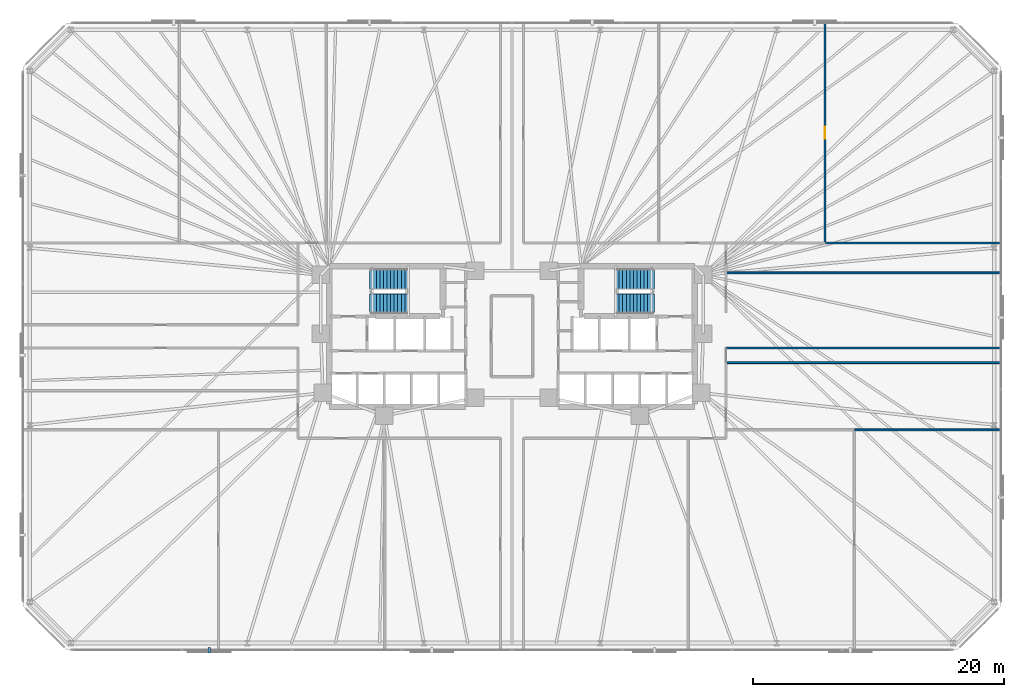
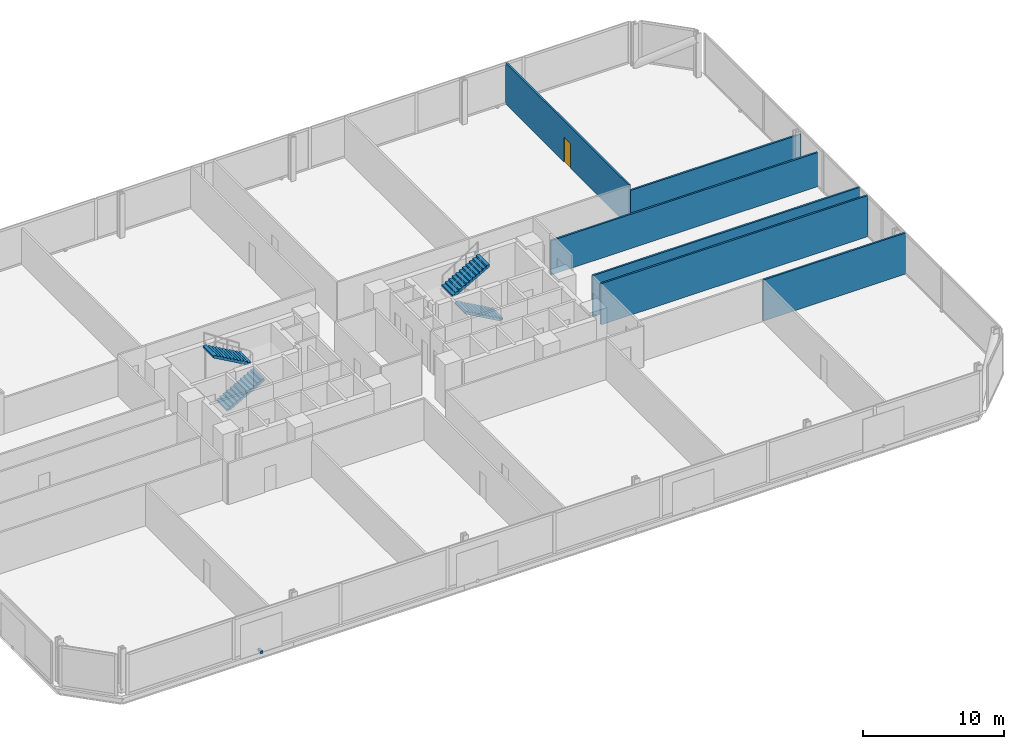
# One storey, part 15 of 17: 6 walls, 4 stair flights, 1 discrete accessory, 1 door, 1 opening, 2 elements without a shape of their own.
"""IFC4 building model written with IfcOpenShell, lengths in metres."""

from ifc_helpers import new_model, si_unit, direction, frame, frame_2d, origin, origin_2d, place, context, subcontext, project, spatial, polyline, rectangle, outline, extrude, material, layer, layer_set, type_object, element, fill, aggregate, save


model = new_model("IFC4")

# Units and contexts
model_context = context("Model", 3, precision=1e-05, world=origin(), true_north=direction((0.0, 1.0)))
body_context = subcontext(model_context, "Body", "Model", "MODEL_VIEW")
ifc_project = project(units=[si_unit("LENGTHUNIT", "METRE"), si_unit("AREAUNIT", "SQUARE_METRE"), si_unit("VOLUMEUNIT", "CUBIC_METRE"), si_unit("PLANEANGLEUNIT", "RADIAN"), si_unit("MASSUNIT", "GRAM", prefix="KILO")], contexts=[model_context])

# Site, building, storey
site_placement = place(None, origin())
site = spatial("IfcSite", under=ifc_project, at=site_placement, CompositionType="ELEMENT")
building_placement = place(site_placement, origin())
building = spatial("IfcBuilding", under=site, at=building_placement, Name="Menara Jurai Vektor", CompositionType="ELEMENT")
storey_placement = place(building_placement, frame((0.0, 0.0, 18.0)))
storey = spatial("IfcBuildingStorey", under=building, at=storey_placement, Name="L03", CompositionType="ELEMENT", Elevation=18.0)

# Wall
ifc_material_1 = material(Name="Gypsum Fireboard Partition", Category="gypsum")
ifc_layer_1 = layer(ifc_material_1, 0.14990234375)
ifc_layer_set_1 = layer_set([ifc_layer_1], Name="Gypsum Fireboard Partition")
wall_type_1 = type_object("IfcWallType", Name="INT-WALL-CORR-150", PredefinedType="PARTITIONING", material=ifc_layer_set_1)
wall_1_placement = place(storey_placement, frame((17.05908203125, -0.919921875, 0.0), z_axis=(0.0, 0.0, 1.0), x_axis=(1.0, 0.0, 0.0)))
element("IfcWall", 1, at=wall_1_placement, inside=storey, type_object=wall_type_1, Name="Interior Wall IW-150 L03", PredefinedType="PARTITIONING", context=body_context, shape_type="SweptSolid", body=[
    extrude(rectangle(XDim=21.94091796875, YDim=0.14990234375, at=frame_2d((10.970458984375, 0.0))), origin(), (0.0, 0.0, 1.0), 3.574951171875),
])

# Wall, opening, door
wall_2_placement = place(storey_placement, frame((24.9599609375, 7.449951171875, 0.0), z_axis=(0.0, 0.0, 1.0), x_axis=(0.0, 1.0, 0.0)))
wall_2 = element("IfcWall", 2, at=wall_2_placement, inside=storey, type_object=wall_type_1, Name="Interior Wall IW-150 L03", PredefinedType="PARTITIONING", context=body_context, shape_type="SweptSolid", body=[
    extrude(rectangle(XDim=17.550048828125, YDim=0.14990234375, at=frame_2d((8.77490234375, 0.0))), origin(), (0.0, 0.0, 1.0), 3.574951171875),
])
opening_placement = place(wall_2_placement, frame((8.300048828125, 0.0, 0.0)))
opening = element("IfcOpeningElement", 3, at=opening_placement, cuts=wall_2, Name="Opening D03-23", PredefinedType="OPENING", context=body_context, shape_type="SweptSolid", body=[
    extrude(rectangle(XDim=0.949951171875, YDim=2.14990234375, at=frame_2d((0.47509765625, 1.074951171875))), frame((0.0, 0.0849609375, 0.0), z_axis=(0.0, -1.0, 0.0), x_axis=(1.0, 0.0, 0.0)), (0.0, 0.0, 1.0), 0.169921875),
])
ifc_material_2 = material(Name="Solid Core Timber Fire Door", Category="wood")
door_type = type_object("IfcDoorType", Name="DR-ENTRY-950", OperationType="NOTDEFINED", PredefinedType="DOOR", material=ifc_material_2)
door_placement = place(opening_placement, origin())
door = element("IfcDoor", 4, at=door_placement, inside=storey, type_object=door_type, Name="Interior Door D03-23", OperationType="SINGLE_SWING_RIGHT", OverallHeight=2.14990234375, OverallWidth=0.949951171875, PredefinedType="DOOR", context=body_context, shape_type="SweptSolid", body=[
    extrude(rectangle(XDim=0.949951171875, YDim=2.14990234375, at=frame_2d((0.47509765625, 1.074951171875))), frame((0.0, 0.02490234375, 0.0), z_axis=(0.0, -1.0, 0.0), x_axis=(1.0, 0.0, 0.0)), (0.0, 0.0, 1.0), 0.050048828125),
])
fill(opening, door)

# Walls
wall_3_placement = place(storey_placement, frame((27.300048828125, -7.449951171875, 0.0), z_axis=(0.0, 0.0, 1.0), x_axis=(1.0, 0.0, 0.0)))
element("IfcWall", 5, at=wall_3_placement, inside=storey, type_object=wall_type_1, Name="Interior Wall IW-150 L03", PredefinedType="PARTITIONING", context=body_context, shape_type="SweptSolid", body=[
    extrude(rectangle(XDim=11.699951171875, YDim=0.14990234375, at=frame_2d((5.85009765625, 0.0))), origin(), (0.0, 0.0, 1.0), 3.574951171875),
])
wall_4_placement = place(storey_placement, frame((17.05908203125, -2.0859375, 0.0), z_axis=(0.0, 0.0, 1.0), x_axis=(1.0, 0.0, 0.0)))
element("IfcWall", 6, at=wall_4_placement, inside=storey, type_object=wall_type_1, Name="Interior Wall IW-150 L03", PredefinedType="PARTITIONING", context=body_context, shape_type="SweptSolid", body=[
    extrude(rectangle(XDim=21.94091796875, YDim=0.14990234375, at=frame_2d((10.970458984375, 0.0))), origin(), (0.0, 0.0, 1.0), 3.574951171875),
])
ifc_layer_2 = layer(ifc_material_1, 0.14990234375)
ifc_layer_set_2 = layer_set([ifc_layer_2], Name="Gypsum Fireboard Partition")
wall_type_2 = type_object("IfcWallType", Name="INT-WALL-CORR-150-H1", PredefinedType="PARTITIONING", material=ifc_layer_set_2)
wall_5_placement = place(storey_placement, frame((24.9599609375, 7.449951171875, 0.0), z_axis=(0.0, 0.0, 1.0), x_axis=(1.0, 0.0, 0.0)))
element("IfcWall", 7, at=wall_5_placement, inside=storey, type_object=wall_type_2, Name="Interior Wall IW-150 L03", PredefinedType="PARTITIONING", context=body_context, shape_type="SweptSolid", body=[
    extrude(rectangle(XDim=14.0400390625, YDim=0.14990234375, at=frame_2d((7.02001953125, 0.0))), origin(), (0.0, 0.0, 1.0), 3.125),
])
ifc_layer_3 = layer(ifc_material_1, 0.14990234375)
ifc_layer_set_3 = layer_set([ifc_layer_3], Name="Gypsum Fireboard Partition")
wall_type_3 = type_object("IfcWallType", Name="INT-WALL-CORR-150-H2", PredefinedType="PARTITIONING", material=ifc_layer_set_3)
wall_6_placement = place(storey_placement, frame((17.05908203125, 5.06591796875, 0.0), z_axis=(0.0, 0.0, 1.0), x_axis=(1.0, 0.0, 0.0)))
element("IfcWall", 8, at=wall_6_placement, inside=storey, type_object=wall_type_3, Name="Interior Wall IW-150 L03", PredefinedType="PARTITIONING", context=body_context, shape_type="SweptSolid", body=[
    extrude(rectangle(XDim=21.94091796875, YDim=0.14990234375, at=frame_2d((10.970458984375, 0.0))), origin(), (0.0, 0.0, 1.0), 2.97509765625),
])

# Stair, stair flights
ifc_material_3 = material(Name="Concrete C40/50", Category="concrete")
stair_type = type_object("IfcStairType", Name="STAIR-DOGLEG-1500", PredefinedType="HALF_TURN_STAIR", material=ifc_material_3)
stair_1_placement = place(storey_placement, origin())
stair_1 = element("IfcStair", 9, at=stair_1_placement, inside=storey, type_object=stair_type, Name="Protected Exit Stair ST1 L03", PredefinedType="HALF_TURN_STAIR")
stair_flight_type = type_object("IfcStairFlightType", Name="STAIR-FLIGHT-1500", PredefinedType="STRAIGHT", material=ifc_material_3)
stair_flight_1_placement = place(storey_placement, frame((-11.35009765625, 2.64990234375, 0.0), z_axis=(0.0, 0.0, 1.0), x_axis=(1.0, 0.0, 0.0)))
stair_flight_1 = element("IfcStairFlight", 10, at=stair_flight_1_placement, type_object=stair_flight_type, Name="ST1 flight 1", NumberOfRisers=12, NumberOfTreads=11, PredefinedType="STRAIGHT", RiserHeight=0.158333, TreadLength=0.28, context=body_context, shape_type="SweptSolid", body=[
    extrude(outline(polyline([(0.0, 0.0), (0.0, 0.158447265625), (0.280029296875, 0.158447265625), (0.280029296875, 0.316650390625), (0.56005859375, 0.316650390625), (0.56005859375, 0.47509765625), (0.840087890625, 0.47509765625), (0.840087890625, 0.63330078125), (1.1201171875, 0.63330078125), (1.1201171875, 0.791748046875), (1.39990234375, 0.791748046875), (1.39990234375, 0.949951171875), (1.679931640625, 0.949951171875), (1.679931640625, 1.1083984375), (1.9599609375, 1.1083984375), (1.9599609375, 1.2666015625), (2.239990234375, 1.2666015625), (2.239990234375, 1.425048828125), (2.52001953125, 1.425048828125), (2.52001953125, 1.583251953125), (2.800048828125, 1.583251953125), (2.800048828125, 1.74169921875), (3.080078125, 1.74169921875), (3.080078125, 1.89990234375), (3.080078125, 1.557861328125), (0.324951171875, 0.0), (0.0, 0.0)])), frame((0.0, 0.75, 0.0), z_axis=(0.0, -1.0, 0.0), x_axis=(1.0, 0.0, 0.0)), (0.0, 0.0, 1.0), 1.5),
])
stair_flight_2_placement = place(storey_placement, frame((-8.27001953125, 4.550048828125, 1.89990234375), z_axis=(0.0, 0.0, 1.0), x_axis=(-1.0, 0.0, 0.0)))
stair_flight_2 = element("IfcStairFlight", 11, at=stair_flight_2_placement, type_object=stair_flight_type, Name="ST1 flight 2", NumberOfRisers=12, NumberOfTreads=11, PredefinedType="STRAIGHT", RiserHeight=0.158333, TreadLength=0.28, context=body_context, shape_type="SweptSolid", body=[
    extrude(outline(polyline([(0.0, 0.0), (0.0, 0.158447265625), (0.280029296875, 0.158447265625), (0.280029296875, 0.316650390625), (0.56005859375, 0.316650390625), (0.56005859375, 0.47509765625), (0.840087890625, 0.47509765625), (0.840087890625, 0.63330078125), (1.1201171875, 0.63330078125), (1.1201171875, 0.791748046875), (1.39990234375, 0.791748046875), (1.39990234375, 0.949951171875), (1.679931640625, 0.949951171875), (1.679931640625, 1.1083984375), (1.9599609375, 1.1083984375), (1.9599609375, 1.2666015625), (2.239990234375, 1.2666015625), (2.239990234375, 1.425048828125), (2.52001953125, 1.425048828125), (2.52001953125, 1.583251953125), (2.800048828125, 1.583251953125), (2.800048828125, 1.74169921875), (3.080078125, 1.74169921875), (3.080078125, 1.89990234375), (3.080078125, 1.557861328125), (0.324951171875, 0.0), (0.0, 0.0)])), frame((0.0, 0.75, 0.0), z_axis=(0.0, -1.0, 0.0), x_axis=(1.0, 0.0, 0.0)), (0.0, 0.0, 1.0), 1.5),
])
aggregate(stair_1, [stair_flight_1, stair_flight_2])

stair_2_placement = place(storey_placement, origin())
stair_2 = element("IfcStair", 12, at=stair_2_placement, inside=storey, type_object=stair_type, Name="Protected Exit Stair ST2 L03", PredefinedType="HALF_TURN_STAIR")
stair_flight_3_placement = place(storey_placement, frame((11.35009765625, 2.64990234375, 0.0), z_axis=(0.0, 0.0, 1.0), x_axis=(-1.0, 0.0, 0.0)))
stair_flight_3 = element("IfcStairFlight", 13, at=stair_flight_3_placement, type_object=stair_flight_type, Name="ST2 flight 1", NumberOfRisers=12, NumberOfTreads=11, PredefinedType="STRAIGHT", RiserHeight=0.158333, TreadLength=0.28, context=body_context, shape_type="SweptSolid", body=[
    extrude(outline(polyline([(0.0, 0.0), (0.0, 0.158447265625), (0.280029296875, 0.158447265625), (0.280029296875, 0.316650390625), (0.56005859375, 0.316650390625), (0.56005859375, 0.47509765625), (0.840087890625, 0.47509765625), (0.840087890625, 0.63330078125), (1.1201171875, 0.63330078125), (1.1201171875, 0.791748046875), (1.39990234375, 0.791748046875), (1.39990234375, 0.949951171875), (1.679931640625, 0.949951171875), (1.679931640625, 1.1083984375), (1.9599609375, 1.1083984375), (1.9599609375, 1.2666015625), (2.239990234375, 1.2666015625), (2.239990234375, 1.425048828125), (2.52001953125, 1.425048828125), (2.52001953125, 1.583251953125), (2.800048828125, 1.583251953125), (2.800048828125, 1.74169921875), (3.080078125, 1.74169921875), (3.080078125, 1.89990234375), (3.080078125, 1.557861328125), (0.324951171875, 0.0), (0.0, 0.0)])), frame((0.0, 0.75, 0.0), z_axis=(0.0, -1.0, 0.0), x_axis=(1.0, 0.0, 0.0)), (0.0, 0.0, 1.0), 1.5),
])
stair_flight_4_placement = place(storey_placement, frame((8.27001953125, 4.550048828125, 1.89990234375), z_axis=(0.0, 0.0, 1.0), x_axis=(1.0, 0.0, 0.0)))
stair_flight_4 = element("IfcStairFlight", 14, at=stair_flight_4_placement, type_object=stair_flight_type, Name="ST2 flight 2", NumberOfRisers=12, NumberOfTreads=11, PredefinedType="STRAIGHT", RiserHeight=0.158333, TreadLength=0.28, context=body_context, shape_type="SweptSolid", body=[
    extrude(outline(polyline([(0.0, 0.0), (0.0, 0.158447265625), (0.280029296875, 0.158447265625), (0.280029296875, 0.316650390625), (0.56005859375, 0.316650390625), (0.56005859375, 0.47509765625), (0.840087890625, 0.47509765625), (0.840087890625, 0.63330078125), (1.1201171875, 0.63330078125), (1.1201171875, 0.791748046875), (1.39990234375, 0.791748046875), (1.39990234375, 0.949951171875), (1.679931640625, 0.949951171875), (1.679931640625, 1.1083984375), (1.9599609375, 1.1083984375), (1.9599609375, 1.2666015625), (2.239990234375, 1.2666015625), (2.239990234375, 1.425048828125), (2.52001953125, 1.425048828125), (2.52001953125, 1.583251953125), (2.800048828125, 1.583251953125), (2.800048828125, 1.74169921875), (3.080078125, 1.74169921875), (3.080078125, 1.89990234375), (3.080078125, 1.557861328125), (0.324951171875, 0.0), (0.0, 0.0)])), frame((0.0, 0.75, 0.0), z_axis=(0.0, -1.0, 0.0), x_axis=(1.0, 0.0, 0.0)), (0.0, 0.0, 1.0), 1.5),
])
aggregate(stair_2, [stair_flight_3, stair_flight_4])

# Discrete accessory
ifc_material_4 = material(Name="Steel S355", Category="steel")
discrete_accessory_type = type_object("IfcDiscreteAccessoryType", Name="ENV-ACC-BRACKET", PredefinedType="BRACKET", material=ifc_material_4)
discrete_accessory_placement = place(storey_placement, frame((-24.139892578125, -25.010009765625, -0.1298828125), z_axis=(0.0, 0.0, 1.0), x_axis=(1.0, 0.0, 0.0)))
element("IfcDiscreteAccessory", 15, at=discrete_accessory_placement, inside=storey, type_object=discrete_accessory_type, Name="Solar Screen Stand-Off Bracket L03-S01", PredefinedType="BRACKET", context=body_context, shape_type="SweptSolid", body=[
    extrude(rectangle(XDim=0.179931640625, YDim=0.43994140625, at=origin_2d()), origin(), (0.0, 0.0, 1.0), 0.219970703125),
])

save(model, "model.ifc")
